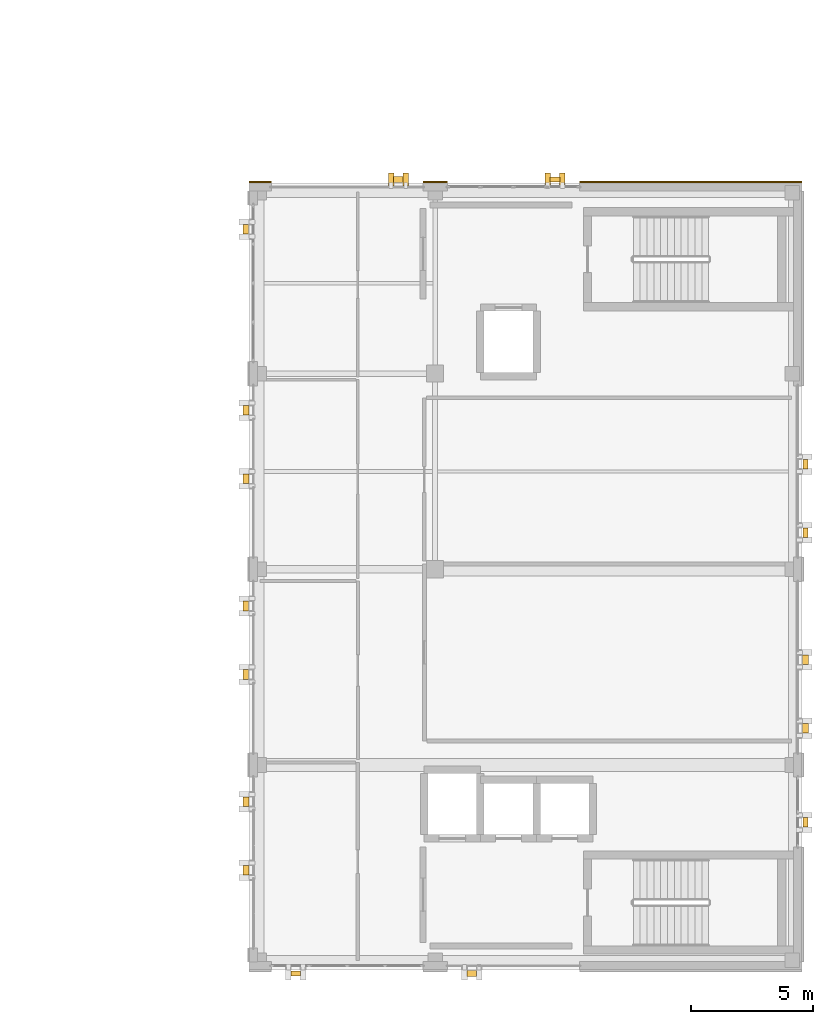
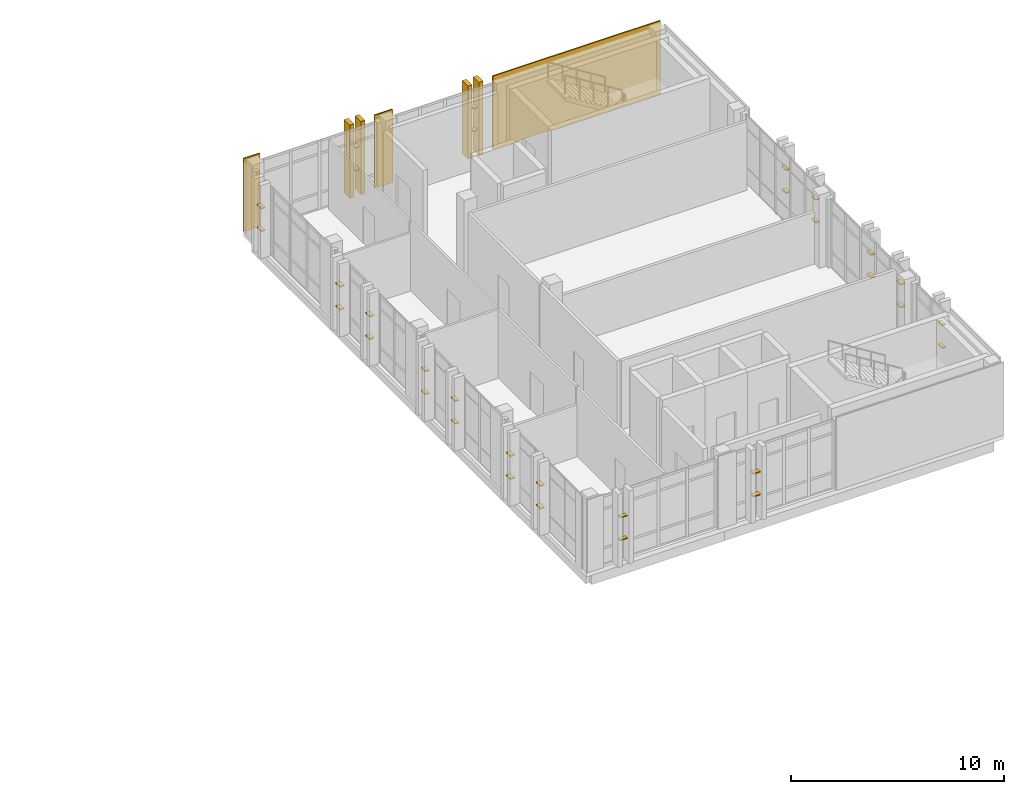
# One storey, part 22 of 22: 32 shading devices, 7 coverings.
"""IFC4 building model written with IfcOpenShell, lengths in metres."""

from ifc_helpers import new_model, si_unit, direction, frame, origin, origin_2d, place, context, subcontext, project, spatial, rectangle, extrude, material, layer, layer_set, type_object, element, save


model = new_model("IFC4")

# Units and contexts
model_context = context("Model", 3, precision=1e-05, world=origin(), true_north=direction((0.0, 1.0)))
body_context = subcontext(model_context, "Body", "Model", "MODEL_VIEW")
ifc_project = project(units=[si_unit("LENGTHUNIT", "METRE"), si_unit("AREAUNIT", "SQUARE_METRE"), si_unit("VOLUMEUNIT", "CUBIC_METRE"), si_unit("PLANEANGLEUNIT", "RADIAN"), si_unit("MASSUNIT", "GRAM", prefix="KILO")], contexts=[model_context])

# Site, building, storey
site_placement = place(None, origin())
site = spatial("IfcSite", under=ifc_project, at=site_placement, CompositionType="ELEMENT")
building_placement = place(site_placement, origin())
building = spatial("IfcBuilding", under=site, at=building_placement, Name="Qalavern Law Courts", CompositionType="ELEMENT")
storey_placement = place(building_placement, frame((0.0, 0.0, 35.39990234375)))
storey = spatial("IfcBuildingStorey", under=building, at=storey_placement, Name="L08", CompositionType="ELEMENT", Elevation=35.39990234375)

# Coverings
ifc_material_1 = material(Name="Precast concrete C40/50", Category="concrete")
ifc_layer_1 = layer(ifc_material_1, 0.22998046875)
ifc_layer_set_1 = layer_set([ifc_layer_1], Name="Precast concrete C40/50")
covering_type_1 = type_object("IfcCoveringType", Name="ENV-BLD-2", PredefinedType="CLADDING", material=ifc_layer_set_1)
for number, where, z_axis, x_axis, name in (
    (1, (97.0, 73.340087890625, 0.005126953125), (0.0, 0.0, 1.0), (0.0, 1.0, 0.0), "Absheron stone facade blade 0847"),
    (2, (96.39990234375, 73.340087890625, 0.005126953125), (0.0, 0.0, 1.0), (0.0, 1.0, 0.0), "Absheron stone facade blade 0848"),
    (3, (90.60009765625, 73.340087890625, 0.005126953125), (0.0, 0.0, 1.0), (0.0, 1.0, 0.0), "Absheron stone facade blade 0849"),
    (4, (90.0, 73.340087890625, 0.005126953125), (0.0, 0.0, 1.0), (0.0, 1.0, 0.0), "Absheron stone facade blade 0850"),
):
    element("IfcCovering", number, at=place(storey_placement, frame(where, z_axis=z_axis, x_axis=x_axis)), inside=storey, type_object=covering_type_1, Name=name, PredefinedType="CLADDING", context=body_context, shape_type="SweptSolid", body=[
        extrude(rectangle(XDim=0.5400390625, YDim=0.22998046875, at=origin_2d()), origin(), (0.0, 0.0, 1.0), 4.18994140625),
    ])
ifc_layer_2 = layer(ifc_material_1, 0.072021484375)
ifc_layer_set_2 = layer_set([ifc_layer_2], Name="Precast concrete C40/50")
covering_type_2 = type_object("IfcCoveringType", Name="ENV-CLD-2", PredefinedType="CLADDING", material=ifc_layer_set_2)
covering_1_placement = place(storey_placement, frame((102.25, 73.23291015625, 0.01025390625), z_axis=(0.0, 0.0, 1.0), x_axis=(-1.0, 0.0, 0.0)))
element("IfcCovering", 5, at=covering_1_placement, inside=storey, type_object=covering_type_2, Name="V4 Absheron limestone pier facing L08 north 1", PredefinedType="CLADDING", context=body_context, shape_type="SweptSolid", body=[
    extrude(rectangle(XDim=9.080078125, YDim=0.072021484375, at=origin_2d()), origin(), (0.0, 0.0, 1.0), 4.179931640625),
])
covering_2_placement = place(storey_placement, frame((91.800048828125, 73.23291015625, 0.01025390625), z_axis=(0.0, 0.0, 1.0), x_axis=(-1.0, 0.0, 0.0)))
element("IfcCovering", 6, at=covering_2_placement, inside=storey, type_object=covering_type_2, Name="V4 Absheron limestone pier facing L08 north 2", PredefinedType="CLADDING", context=body_context, shape_type="SweptSolid", body=[
    extrude(rectangle(XDim=0.97998046875, YDim=0.072021484375, at=origin_2d()), origin(), (0.0, 0.0, 1.0), 4.179931640625),
])
covering_3_placement = place(storey_placement, frame((84.64990234375, 73.23291015625, 0.01025390625), z_axis=(0.0, 0.0, 1.0), x_axis=(-1.0, 0.0, 0.0)))
element("IfcCovering", 7, at=covering_3_placement, inside=storey, type_object=covering_type_2, Name="V4 Absheron limestone pier facing L08 north 3", PredefinedType="CLADDING", context=body_context, shape_type="SweptSolid", body=[
    extrude(rectangle(XDim=0.8798828125, YDim=0.072021484375, at=origin_2d()), origin(), (0.0, 0.0, 1.0), 4.179931640625),
])

# Shading devices
ifc_material_2 = material(Name="Anodised aluminium", Category="aluminium")
shading_device_type_1 = type_object("IfcShadingDeviceType", Name="ENV-LOUV-1", PredefinedType="JALOUSIE", material=ifc_material_2)
for number, where, z_axis, x_axis, name in (
    (8, (86.10009765625, 40.8798828125, 1.350830078125), (0.0, 0.0, 1.0), (1.0, 0.0, 0.0), "Horizontal sun louvre V4-L08-0-1"),
    (9, (86.10009765625, 40.8798828125, 2.652587890625), (0.0, 0.0, 1.0), (1.0, 0.0, 0.0), "Horizontal sun louvre V4-L08-0-2"),
    (10, (106.93994140625, 47.050048828125, 1.350830078125), (0.0, 0.0, 1.0), (0.0, 1.0, 0.0), "Horizontal sun louvre V4-L08-0-1"),
    (11, (106.93994140625, 47.050048828125, 2.652587890625), (0.0, 0.0, 1.0), (0.0, 1.0, 0.0), "Horizontal sun louvre V4-L08-0-2"),
    (12, (106.93994140625, 58.89990234375, 1.350830078125), (0.0, 0.0, 1.0), (0.0, 1.0, 0.0), "Horizontal sun louvre V4-L08-0-1"),
    (13, (106.93994140625, 58.89990234375, 2.652587890625), (0.0, 0.0, 1.0), (0.0, 1.0, 0.0), "Horizontal sun louvre V4-L08-0-2"),
    (14, (106.93994140625, 61.699951171875, 1.350830078125), (0.0, 0.0, 1.0), (0.0, 1.0, 0.0), "Horizontal sun louvre V4-L08-1-1"),
    (15, (106.93994140625, 61.699951171875, 2.652587890625), (0.0, 0.0, 1.0), (0.0, 1.0, 0.0), "Horizontal sun louvre V4-L08-1-2"),
    (16, (96.699951171875, 73.340087890625, 1.350830078125), (0.0, 0.0, 1.0), (-1.0, 0.0, 0.0), "Horizontal sun louvre V4-L08-0-1"),
    (17, (96.699951171875, 73.340087890625, 2.652587890625), (0.0, 0.0, 1.0), (-1.0, 0.0, 0.0), "Horizontal sun louvre V4-L08-0-2"),
    (18, (84.06005859375, 71.300048828125, 1.350830078125), (0.0, 0.0, 1.0), (0.0, -1.0, 0.0), "Horizontal sun louvre V4-L08-0-1"),
    (19, (84.06005859375, 71.300048828125, 2.652587890625), (0.0, 0.0, 1.0), (0.0, -1.0, 0.0), "Horizontal sun louvre V4-L08-0-2"),
    (20, (84.06005859375, 55.89990234375, 1.350830078125), (0.0, 0.0, 1.0), (0.0, -1.0, 0.0), "Horizontal sun louvre V4-L08-0-1"),
    (21, (84.06005859375, 55.89990234375, 2.652587890625), (0.0, 0.0, 1.0), (0.0, -1.0, 0.0), "Horizontal sun louvre V4-L08-0-2"),
    (22, (84.06005859375, 53.10009765625, 1.350830078125), (0.0, 0.0, 1.0), (0.0, -1.0, 0.0), "Horizontal sun louvre V4-L08-1-1"),
    (23, (84.06005859375, 53.10009765625, 2.652587890625), (0.0, 0.0, 1.0), (0.0, -1.0, 0.0), "Horizontal sun louvre V4-L08-1-2"),
):
    element("IfcShadingDevice", number, at=place(storey_placement, frame(where, z_axis=z_axis, x_axis=x_axis)), inside=storey, type_object=shading_device_type_1, Name=name, PredefinedType="JALOUSIE", context=body_context, shape_type="SweptSolid", body=[
        extrude(rectangle(XDim=0.389892578125, YDim=0.2099609375, at=origin_2d()), origin(), (0.0, 0.0, 1.0), 0.06005859375),
    ])
shading_device_type_2 = type_object("IfcShadingDeviceType", Name="ENV-LOUV-2", PredefinedType="JALOUSIE", material=ifc_material_2)
for number, where, z_axis, x_axis, name in (
    (24, (93.300048828125, 40.8798828125, 1.350830078125), (0.0, 0.0, 1.0), (1.0, 0.0, 0.0), "Horizontal sun louvre V4-L08-0-1"),
    (25, (93.300048828125, 40.8798828125, 2.652587890625), (0.0, 0.0, 1.0), (1.0, 0.0, 0.0), "Horizontal sun louvre V4-L08-0-2"),
    (26, (106.93994140625, 50.89990234375, 1.350830078125), (0.0, 0.0, 1.0), (0.0, 1.0, 0.0), "Horizontal sun louvre V4-L08-0-1"),
    (27, (106.93994140625, 50.89990234375, 2.652587890625), (0.0, 0.0, 1.0), (0.0, 1.0, 0.0), "Horizontal sun louvre V4-L08-0-2"),
    (28, (106.93994140625, 53.699951171875, 1.350830078125), (0.0, 0.0, 1.0), (0.0, 1.0, 0.0), "Horizontal sun louvre V4-L08-1-1"),
    (29, (106.93994140625, 53.699951171875, 2.652587890625), (0.0, 0.0, 1.0), (0.0, 1.0, 0.0), "Horizontal sun louvre V4-L08-1-2"),
    (30, (90.300048828125, 73.340087890625, 1.350830078125), (0.0, 0.0, 1.0), (-1.0, 0.0, 0.0), "Horizontal sun louvre V4-L08-0-1"),
    (31, (90.300048828125, 73.340087890625, 2.652587890625), (0.0, 0.0, 1.0), (-1.0, 0.0, 0.0), "Horizontal sun louvre V4-L08-0-2"),
    (32, (84.06005859375, 63.89990234375, 1.350830078125), (0.0, 0.0, 1.0), (0.0, -1.0, 0.0), "Horizontal sun louvre V4-L08-0-1"),
    (33, (84.06005859375, 63.89990234375, 2.652587890625), (0.0, 0.0, 1.0), (0.0, -1.0, 0.0), "Horizontal sun louvre V4-L08-0-2"),
    (34, (84.06005859375, 61.10009765625, 1.350830078125), (0.0, 0.0, 1.0), (0.0, -1.0, 0.0), "Horizontal sun louvre V4-L08-1-1"),
    (35, (84.06005859375, 61.10009765625, 2.652587890625), (0.0, 0.0, 1.0), (0.0, -1.0, 0.0), "Horizontal sun louvre V4-L08-1-2"),
    (36, (84.06005859375, 47.89990234375, 1.350830078125), (0.0, 0.0, 1.0), (0.0, -1.0, 0.0), "Horizontal sun louvre V4-L08-0-1"),
    (37, (84.06005859375, 47.89990234375, 2.652587890625), (0.0, 0.0, 1.0), (0.0, -1.0, 0.0), "Horizontal sun louvre V4-L08-0-2"),
    (38, (84.06005859375, 45.10009765625, 1.350830078125), (0.0, 0.0, 1.0), (0.0, -1.0, 0.0), "Horizontal sun louvre V4-L08-1-1"),
    (39, (84.06005859375, 45.10009765625, 2.652587890625), (0.0, 0.0, 1.0), (0.0, -1.0, 0.0), "Horizontal sun louvre V4-L08-1-2"),
):
    element("IfcShadingDevice", number, at=place(storey_placement, frame(where, z_axis=z_axis, x_axis=x_axis)), inside=storey, type_object=shading_device_type_2, Name=name, PredefinedType="JALOUSIE", context=body_context, shape_type="SweptSolid", body=[
        extrude(rectangle(XDim=0.389892578125, YDim=0.25, at=origin_2d()), origin(), (0.0, 0.0, 1.0), 0.06005859375),
    ])

save(model, "model.ifc")
